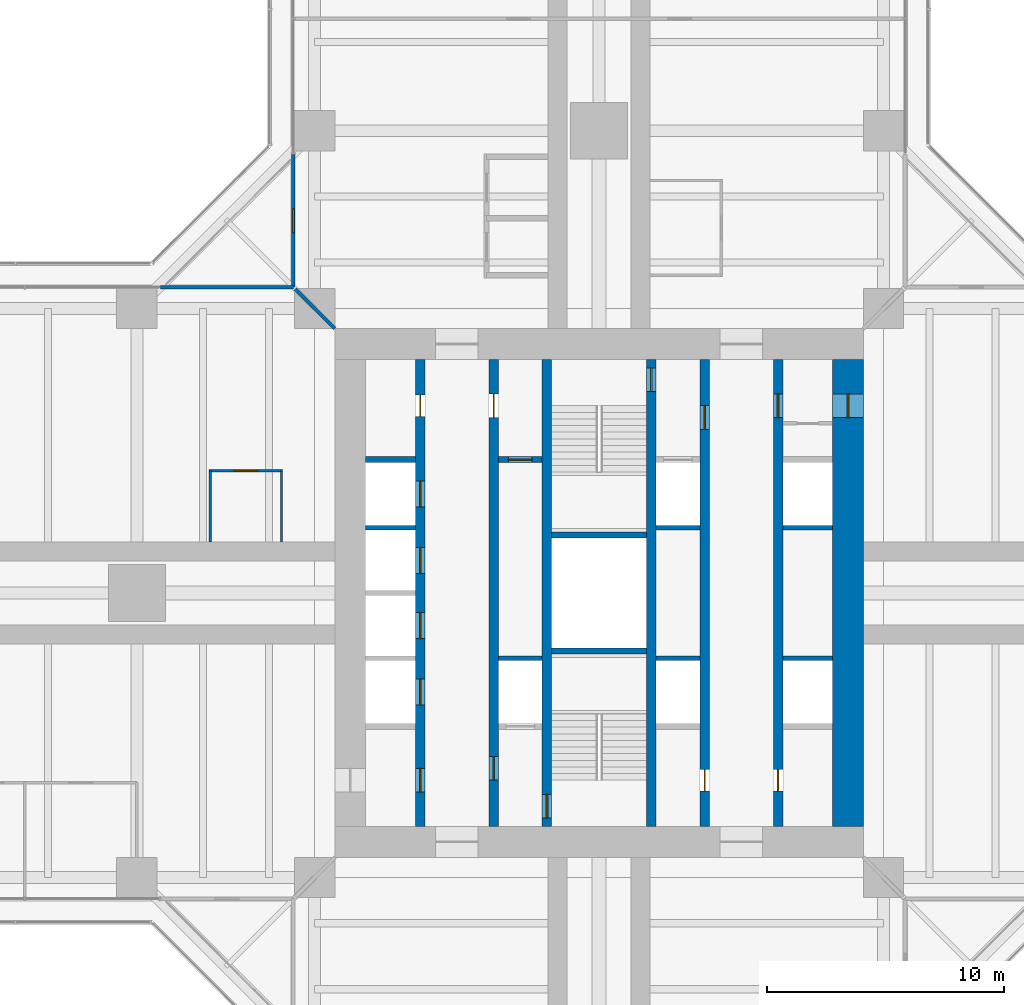
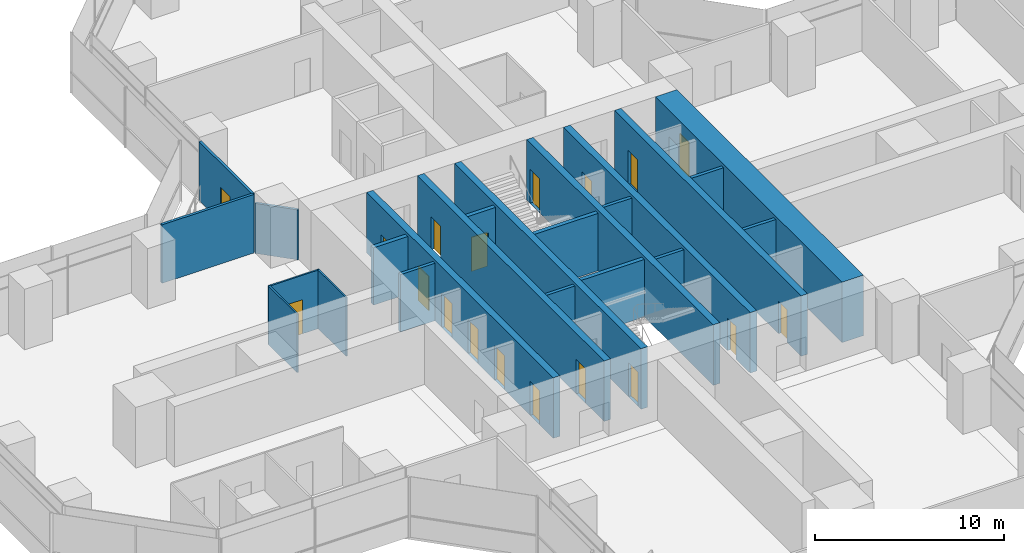
# One storey, part 18 of 22: 23 walls, 18 doors, 18 openings.
"""IFC4 building model written with IfcOpenShell, lengths in metres."""

from ifc_helpers import new_model, si_unit, direction, frame, frame_2d, origin, place, context, subcontext, project, spatial, rectangle, extrude, material, layer, layer_set, type_object, element, fill, save


model = new_model("IFC4")

# Units and contexts
model_context = context("Model", 3, precision=1e-05, world=origin(), true_north=direction((0.0, 1.0)))
body_context = subcontext(model_context, "Body", "Model", "MODEL_VIEW")
ifc_project = project(units=[si_unit("LENGTHUNIT", "METRE"), si_unit("AREAUNIT", "SQUARE_METRE"), si_unit("VOLUMEUNIT", "CUBIC_METRE"), si_unit("PLANEANGLEUNIT", "RADIAN"), si_unit("MASSUNIT", "GRAM", prefix="KILO")], contexts=[model_context])

# Site, building, storey
site_placement = place(None, origin())
site = spatial("IfcSite", under=ifc_project, at=site_placement, CompositionType="ELEMENT")
building_placement = place(site_placement, origin())
building = spatial("IfcBuilding", under=site, at=building_placement, Name="Mizan Broadcast Tower", CompositionType="ELEMENT")
storey_placement = place(building_placement, frame((0.0, 0.0, 70.800048828125)))
storey = spatial("IfcBuildingStorey", under=building, at=storey_placement, Name="L14", CompositionType="ELEMENT", Elevation=70.800048828125)

# Wall, openings, doors
ifc_material_1 = material(Name="Concrete C70/85", Category="concrete")
ifc_layer_1 = layer(ifc_material_1, 0.39990234375)
ifc_layer_set_1 = layer_set([ifc_layer_1], Name="Concrete C70/85")
wall_type_1 = type_object("IfcWallType", Name="CORE INTERNAL WALL 400", PredefinedType="SHEAR", material=ifc_layer_set_1)
wall_1_placement = place(storey_placement, frame((-7.550048828125, -9.85009765625, 0.0), z_axis=(0.0, 0.0, 1.0), x_axis=(0.0, 1.0, 0.0)))
wall_1 = element("IfcWall", 1, at=wall_1_placement, inside=storey, type_object=wall_type_1, Name="Core wall CORE/XW1", PredefinedType="SHEAR", context=body_context, shape_type="SweptSolid", body=[
    extrude(rectangle(XDim=19.7001953125, YDim=0.39990234375, at=frame_2d((9.85009765625, 0.0))), origin(), (0.0, 0.0, 1.0), 3.89990234375),
])
opening_1_placement = place(wall_1_placement, frame((1.449951171875, 0.0, 0.0)))
opening_1 = element("IfcOpeningElement", 2, at=opening_1_placement, cuts=wall_1, Name="Opening D10F", PredefinedType="OPENING", context=body_context, shape_type="SweptSolid", body=[
    extrude(rectangle(XDim=1.0, YDim=2.199951171875, at=frame_2d((0.5, 1.10009765625))), frame((0.0, 0.2099609375, 0.0), z_axis=(0.0, -1.0, 0.0), x_axis=(1.0, 0.0, 0.0)), (0.0, 0.0, 1.0), 0.419921875),
])
opening_2_placement = place(wall_1_placement, frame((17.300048828125, 0.0, 0.0)))
opening_2 = element("IfcOpeningElement", 3, at=opening_2_placement, cuts=wall_1, Name="Opening D09", PredefinedType="OPENING", context=body_context, shape_type="SweptSolid", body=[
    extrude(rectangle(XDim=0.89990234375, YDim=2.10009765625, at=frame_2d((0.449951171875, 1.050048828125))), frame((0.0, 0.2099609375, 0.0), z_axis=(0.0, -1.0, 0.0), x_axis=(1.0, 0.0, 0.0)), (0.0, 0.0, 1.0), 0.419921875),
])
opening_3_placement = place(wall_1_placement, frame((5.125, 0.0, 0.0)))
opening_3 = element("IfcOpeningElement", 4, at=opening_3_placement, cuts=wall_1, Name="Opening LD", PredefinedType="OPENING", context=body_context, shape_type="SweptSolid", body=[
    extrude(rectangle(XDim=1.10009765625, YDim=2.199951171875, at=frame_2d((0.550048828125, 1.10009765625))), frame((0.0, 0.2099609375, 0.0), z_axis=(0.0, -1.0, 0.0), x_axis=(1.0, 0.0, 0.0)), (0.0, 0.0, 1.0), 0.419921875),
])
opening_4_placement = place(wall_1_placement, frame((7.925048828125, 0.0, 0.0)))
opening_4 = element("IfcOpeningElement", 5, at=opening_4_placement, cuts=wall_1, Name="Opening LD", PredefinedType="OPENING", context=body_context, shape_type="SweptSolid", body=[
    extrude(rectangle(XDim=1.10009765625, YDim=2.199951171875, at=frame_2d((0.550048828125, 1.10009765625))), frame((0.0, 0.2099609375, 0.0), z_axis=(0.0, -1.0, 0.0), x_axis=(1.0, 0.0, 0.0)), (0.0, 0.0, 1.0), 0.419921875),
])
opening_5_placement = place(wall_1_placement, frame((10.675048828125, 0.0, 0.0)))
opening_5 = element("IfcOpeningElement", 6, at=opening_5_placement, cuts=wall_1, Name="Opening LD", PredefinedType="OPENING", context=body_context, shape_type="SweptSolid", body=[
    extrude(rectangle(XDim=1.10009765625, YDim=2.199951171875, at=frame_2d((0.550048828125, 1.10009765625))), frame((0.0, 0.2099609375, 0.0), z_axis=(0.0, -1.0, 0.0), x_axis=(1.0, 0.0, 0.0)), (0.0, 0.0, 1.0), 0.419921875),
])
opening_6_placement = place(wall_1_placement, frame((13.47509765625, 0.0, 0.0)))
opening_6 = element("IfcOpeningElement", 7, at=opening_6_placement, cuts=wall_1, Name="Opening LD", PredefinedType="OPENING", context=body_context, shape_type="SweptSolid", body=[
    extrude(rectangle(XDim=1.10009765625, YDim=2.199951171875, at=frame_2d((0.550048828125, 1.10009765625))), frame((0.0, 0.2099609375, 0.0), z_axis=(0.0, -1.0, 0.0), x_axis=(1.0, 0.0, 0.0)), (0.0, 0.0, 1.0), 0.419921875),
])
ifc_material_2 = material(Name="Steel door leaf in steel frame", Category="steel")
door_type_1 = type_object("IfcDoorType", Name="FIRE DOOR 1000 FD90", OperationType="SINGLE_SWING_LEFT", PredefinedType="DOOR", material=ifc_material_2)
door_1_placement = place(opening_1_placement, origin())
door_1 = element("IfcDoor", 8, at=door_1_placement, inside=storey, type_object=door_type_1, Name="West core passage door", OperationType="SINGLE_SWING_LEFT", OverallHeight=2.199951171875, OverallWidth=1.0, PredefinedType="DOOR", context=body_context, shape_type="SweptSolid", body=[
    extrude(rectangle(XDim=1.0, YDim=2.199951171875, at=frame_2d((0.5, 1.10009765625))), frame((0.0, 0.02490234375, 0.0), z_axis=(0.0, -1.0, 0.0), x_axis=(1.0, 0.0, 0.0)), (0.0, 0.0, 1.0), 0.050048828125),
])
fill(opening_1, door_1)
ifc_material_3 = material(Name="Steel door leaf in steel frame", Category="steel")
door_type_2 = type_object("IfcDoorType", Name="LIFT LANDING DOOR 1100", OperationType="SLIDING_TO_LEFT", PredefinedType="DOOR", material=ifc_material_3)
door_2_placement = place(opening_3_placement, origin())
door_2 = element("IfcDoor", 9, at=door_2_placement, inside=storey, type_object=door_type_2, Name="Landing door LA1", OperationType="SLIDING_TO_LEFT", OverallHeight=2.199951171875, OverallWidth=1.10009765625, PredefinedType="DOOR", context=body_context, shape_type="SweptSolid", body=[
    extrude(rectangle(XDim=1.10009765625, YDim=2.199951171875, at=frame_2d((0.550048828125, 1.10009765625))), frame((0.0, 0.02490234375, 0.0), z_axis=(0.0, -1.0, 0.0), x_axis=(1.0, 0.0, 0.0)), (0.0, 0.0, 1.0), 0.050048828125),
])
fill(opening_3, door_2)
door_3_placement = place(opening_4_placement, origin())
door_3 = element("IfcDoor", 10, at=door_3_placement, inside=storey, type_object=door_type_2, Name="Landing door LA2", OperationType="SLIDING_TO_LEFT", OverallHeight=2.199951171875, OverallWidth=1.10009765625, PredefinedType="DOOR", context=body_context, shape_type="SweptSolid", body=[
    extrude(rectangle(XDim=1.10009765625, YDim=2.199951171875, at=frame_2d((0.550048828125, 1.10009765625))), frame((0.0, 0.02490234375, 0.0), z_axis=(0.0, -1.0, 0.0), x_axis=(1.0, 0.0, 0.0)), (0.0, 0.0, 1.0), 0.050048828125),
])
fill(opening_4, door_3)
door_4_placement = place(opening_5_placement, origin())
door_4 = element("IfcDoor", 11, at=door_4_placement, inside=storey, type_object=door_type_2, Name="Landing door LA3", OperationType="SLIDING_TO_LEFT", OverallHeight=2.199951171875, OverallWidth=1.10009765625, PredefinedType="DOOR", context=body_context, shape_type="SweptSolid", body=[
    extrude(rectangle(XDim=1.10009765625, YDim=2.199951171875, at=frame_2d((0.550048828125, 1.10009765625))), frame((0.0, 0.02490234375, 0.0), z_axis=(0.0, -1.0, 0.0), x_axis=(1.0, 0.0, 0.0)), (0.0, 0.0, 1.0), 0.050048828125),
])
fill(opening_5, door_4)
door_5_placement = place(opening_6_placement, origin())
door_5 = element("IfcDoor", 12, at=door_5_placement, inside=storey, type_object=door_type_2, Name="Landing door LA4", OperationType="SLIDING_TO_LEFT", OverallHeight=2.199951171875, OverallWidth=1.10009765625, PredefinedType="DOOR", context=body_context, shape_type="SweptSolid", body=[
    extrude(rectangle(XDim=1.10009765625, YDim=2.199951171875, at=frame_2d((0.550048828125, 1.10009765625))), frame((0.0, 0.02490234375, 0.0), z_axis=(0.0, -1.0, 0.0), x_axis=(1.0, 0.0, 0.0)), (0.0, 0.0, 1.0), 0.050048828125),
])
fill(opening_6, door_5)
ifc_material_4 = material(Name="Timber door leaf in aluminium frame", Category="wood")
door_type_3 = type_object("IfcDoorType", Name="TOILET DOOR 900", OperationType="SINGLE_SWING_LEFT", PredefinedType="DOOR", material=ifc_material_4)
door_6_placement = place(opening_2_placement, origin())
door_6 = element("IfcDoor", 13, at=door_6_placement, inside=storey, type_object=door_type_3, Name="Male WC door", OperationType="SINGLE_SWING_RIGHT", OverallHeight=2.10009765625, OverallWidth=0.89990234375, PredefinedType="DOOR", context=body_context, shape_type="SweptSolid", body=[
    extrude(rectangle(XDim=0.89990234375, YDim=2.10009765625, at=frame_2d((0.449951171875, 1.050048828125))), frame((0.0, 0.02490234375, 0.0), z_axis=(0.0, -1.0, 0.0), x_axis=(1.0, 0.0, 0.0)), (0.0, 0.0, 1.0), 0.050048828125),
])
fill(opening_2, door_6)

wall_2_placement = place(storey_placement, frame((7.550048828125, 9.85009765625, 0.0), z_axis=(0.0, 0.0, 1.0), x_axis=(0.0, -1.0, 0.0)))
wall_2 = element("IfcWall", 14, at=wall_2_placement, inside=storey, type_object=wall_type_1, Name="Core wall CORE/XW1E", PredefinedType="SHEAR", context=body_context, shape_type="SweptSolid", body=[
    extrude(rectangle(XDim=19.7001953125, YDim=0.39990234375, at=frame_2d((9.85009765625, 0.0))), origin(), (0.0, 0.0, 1.0), 3.89990234375),
])
opening_7_placement = place(wall_2_placement, frame((1.449951171875, 0.0, 0.0)))
opening_7 = element("IfcOpeningElement", 15, at=opening_7_placement, cuts=wall_2, Name="Opening D10F", PredefinedType="OPENING", context=body_context, shape_type="SweptSolid", body=[
    extrude(rectangle(XDim=1.0, YDim=2.199951171875, at=frame_2d((0.5, 1.10009765625))), frame((0.0, 0.2099609375, 0.0), z_axis=(0.0, -1.0, 0.0), x_axis=(1.0, 0.0, 0.0)), (0.0, 0.0, 1.0), 0.419921875),
])
opening_8_placement = place(wall_2_placement, frame((17.300048828125, 0.0, 0.0)))
opening_8 = element("IfcOpeningElement", 16, at=opening_8_placement, cuts=wall_2, Name="Opening D09", PredefinedType="OPENING", context=body_context, shape_type="SweptSolid", body=[
    extrude(rectangle(XDim=0.89990234375, YDim=2.10009765625, at=frame_2d((0.449951171875, 1.050048828125))), frame((0.0, 0.2099609375, 0.0), z_axis=(0.0, -1.0, 0.0), x_axis=(1.0, 0.0, 0.0)), (0.0, 0.0, 1.0), 0.419921875),
])
door_7_placement = place(opening_7_placement, origin())
door_7 = element("IfcDoor", 17, at=door_7_placement, inside=storey, type_object=door_type_1, Name="East core passage door", OperationType="SINGLE_SWING_LEFT", OverallHeight=2.199951171875, OverallWidth=1.0, PredefinedType="DOOR", context=body_context, shape_type="SweptSolid", body=[
    extrude(rectangle(XDim=1.0, YDim=2.199951171875, at=frame_2d((0.5, 1.10009765625))), frame((0.0, 0.02490234375, 0.0), z_axis=(0.0, -1.0, 0.0), x_axis=(1.0, 0.0, 0.0)), (0.0, 0.0, 1.0), 0.050048828125),
])
fill(opening_7, door_7)
door_8_placement = place(opening_8_placement, origin())
door_8 = element("IfcDoor", 18, at=door_8_placement, inside=storey, type_object=door_type_3, Name="Female WC door", OperationType="SINGLE_SWING_RIGHT", OverallHeight=2.10009765625, OverallWidth=0.89990234375, PredefinedType="DOOR", context=body_context, shape_type="SweptSolid", body=[
    extrude(rectangle(XDim=0.89990234375, YDim=2.10009765625, at=frame_2d((0.449951171875, 1.050048828125))), frame((0.0, 0.02490234375, 0.0), z_axis=(0.0, -1.0, 0.0), x_axis=(1.0, 0.0, 0.0)), (0.0, 0.0, 1.0), 0.050048828125),
])
fill(opening_8, door_8)

wall_3_placement = place(storey_placement, frame((-4.449951171875, -9.85009765625, 0.0), z_axis=(0.0, 0.0, 1.0), x_axis=(0.0, 1.0, 0.0)))
wall_3 = element("IfcWall", 19, at=wall_3_placement, inside=storey, type_object=wall_type_1, Name="Core wall CORE/XWH", PredefinedType="SHEAR", context=body_context, shape_type="SweptSolid", body=[
    extrude(rectangle(XDim=19.7001953125, YDim=0.39990234375, at=frame_2d((9.85009765625, 0.0))), origin(), (0.0, 0.0, 1.0), 3.89990234375),
])
opening_9_placement = place(wall_3_placement, frame((1.949951171875, 0.0, 0.0)))
opening_9 = element("IfcOpeningElement", 20, at=opening_9_placement, cuts=wall_3, Name="Opening D10F", PredefinedType="OPENING", context=body_context, shape_type="SweptSolid", body=[
    extrude(rectangle(XDim=1.0, YDim=2.199951171875, at=frame_2d((0.5, 1.10009765625))), frame((0.0, 0.2099609375, 0.0), z_axis=(0.0, -1.0, 0.0), x_axis=(1.0, 0.0, 0.0)), (0.0, 0.0, 1.0), 0.419921875),
])
opening_10_placement = place(wall_3_placement, frame((17.25, 0.0, 0.0)))
opening_10 = element("IfcOpeningElement", 21, at=opening_10_placement, cuts=wall_3, Name="Opening D10A", PredefinedType="OPENING", context=body_context, shape_type="SweptSolid", body=[
    extrude(rectangle(XDim=1.0, YDim=2.10009765625, at=frame_2d((0.5, 1.050048828125))), frame((0.0, 0.2099609375, 0.0), z_axis=(0.0, -1.0, 0.0), x_axis=(1.0, 0.0, 0.0)), (0.0, 0.0, 1.0), 0.419921875),
])
ifc_material_5 = material(Name="Timber door leaf in aluminium frame", Category="wood")
door_type_4 = type_object("IfcDoorType", Name="ACCESSIBLE WC DOOR 1000", OperationType="SLIDING_TO_LEFT", PredefinedType="DOOR", material=ifc_material_5)
door_9_placement = place(opening_10_placement, origin())
door_9 = element("IfcDoor", 22, at=door_9_placement, inside=storey, type_object=door_type_4, Name="Accessible WC door", OperationType="SLIDING_TO_LEFT", OverallHeight=2.10009765625, OverallWidth=1.0, PredefinedType="DOOR", context=body_context, shape_type="SweptSolid", body=[
    extrude(rectangle(XDim=1.0, YDim=2.10009765625, at=frame_2d((0.5, 1.050048828125))), frame((0.0, 0.02490234375, 0.0), z_axis=(0.0, -1.0, 0.0), x_axis=(1.0, 0.0, 0.0)), (0.0, 0.0, 1.0), 0.050048828125),
])
fill(opening_10, door_9)
door_10_placement = place(opening_9_placement, origin())
door_10 = element("IfcDoor", 23, at=door_10_placement, inside=storey, type_object=door_type_1, Name="Firefighting lobby A door", OperationType="SINGLE_SWING_LEFT", OverallHeight=2.199951171875, OverallWidth=1.0, PredefinedType="DOOR", context=body_context, shape_type="SweptSolid", body=[
    extrude(rectangle(XDim=1.0, YDim=2.199951171875, at=frame_2d((0.5, 1.10009765625))), frame((0.0, 0.02490234375, 0.0), z_axis=(0.0, -1.0, 0.0), x_axis=(1.0, 0.0, 0.0)), (0.0, 0.0, 1.0), 0.050048828125),
])
fill(opening_9, door_10)

wall_4_placement = place(storey_placement, frame((4.449951171875, 9.85009765625, 0.0), z_axis=(0.0, 0.0, 1.0), x_axis=(0.0, -1.0, 0.0)))
wall_4 = element("IfcWall", 24, at=wall_4_placement, inside=storey, type_object=wall_type_1, Name="Core wall CORE/XWHE", PredefinedType="SHEAR", context=body_context, shape_type="SweptSolid", body=[
    extrude(rectangle(XDim=19.7001953125, YDim=0.39990234375, at=frame_2d((9.85009765625, 0.0))), origin(), (0.0, 0.0, 1.0), 3.89990234375),
])
opening_11_placement = place(wall_4_placement, frame((1.949951171875, 0.0, 0.0)))
opening_11 = element("IfcOpeningElement", 25, at=opening_11_placement, cuts=wall_4, Name="Opening D10F", PredefinedType="OPENING", context=body_context, shape_type="SweptSolid", body=[
    extrude(rectangle(XDim=1.0, YDim=2.199951171875, at=frame_2d((0.5, 1.10009765625))), frame((0.0, 0.2099609375, 0.0), z_axis=(0.0, -1.0, 0.0), x_axis=(1.0, 0.0, 0.0)), (0.0, 0.0, 1.0), 0.419921875),
])
opening_12_placement = place(wall_4_placement, frame((17.300048828125, 0.0, 0.0)))
opening_12 = element("IfcOpeningElement", 26, at=opening_12_placement, cuts=wall_4, Name="Opening D09", PredefinedType="OPENING", context=body_context, shape_type="SweptSolid", body=[
    extrude(rectangle(XDim=0.89990234375, YDim=2.10009765625, at=frame_2d((0.449951171875, 1.050048828125))), frame((0.0, 0.2099609375, 0.0), z_axis=(0.0, -1.0, 0.0), x_axis=(1.0, 0.0, 0.0)), (0.0, 0.0, 1.0), 0.419921875),
])
door_11_placement = place(opening_11_placement, origin())
door_11 = element("IfcDoor", 27, at=door_11_placement, inside=storey, type_object=door_type_1, Name="Firefighting lobby B door", OperationType="SINGLE_SWING_LEFT", OverallHeight=2.199951171875, OverallWidth=1.0, PredefinedType="DOOR", context=body_context, shape_type="SweptSolid", body=[
    extrude(rectangle(XDim=1.0, YDim=2.199951171875, at=frame_2d((0.5, 1.10009765625))), frame((0.0, 0.02490234375, 0.0), z_axis=(0.0, -1.0, 0.0), x_axis=(1.0, 0.0, 0.0)), (0.0, 0.0, 1.0), 0.050048828125),
])
fill(opening_11, door_11)
door_12_placement = place(opening_12_placement, origin())
door_12 = element("IfcDoor", 28, at=door_12_placement, inside=storey, type_object=door_type_3, Name="Cleaner's store door", OperationType="SINGLE_SWING_RIGHT", OverallHeight=2.10009765625, OverallWidth=0.89990234375, PredefinedType="DOOR", context=body_context, shape_type="SweptSolid", body=[
    extrude(rectangle(XDim=0.89990234375, YDim=2.10009765625, at=frame_2d((0.449951171875, 1.050048828125))), frame((0.0, 0.02490234375, 0.0), z_axis=(0.0, -1.0, 0.0), x_axis=(1.0, 0.0, 0.0)), (0.0, 0.0, 1.0), 0.050048828125),
])
fill(opening_12, door_12)

# Wall, opening, door
wall_5_placement = place(storey_placement, frame((-2.199951171875, -9.85009765625, 0.0), z_axis=(0.0, 0.0, 1.0), x_axis=(0.0, 1.0, 0.0)))
wall_5 = element("IfcWall", 29, at=wall_5_placement, inside=storey, type_object=wall_type_1, Name="Core wall CORE/XW2", PredefinedType="SHEAR", context=body_context, shape_type="SweptSolid", body=[
    extrude(rectangle(XDim=19.7001953125, YDim=0.39990234375, at=frame_2d((9.85009765625, 0.0))), origin(), (0.0, 0.0, 1.0), 3.89990234375),
])
opening_13_placement = place(wall_5_placement, frame((0.35009765625, 0.0, 0.0)))
opening_13 = element("IfcOpeningElement", 30, at=opening_13_placement, cuts=wall_5, Name="Opening D10S", PredefinedType="OPENING", context=body_context, shape_type="SweptSolid", body=[
    extrude(rectangle(XDim=1.0, YDim=2.199951171875, at=frame_2d((0.5, 1.10009765625))), frame((0.0, 0.2099609375, 0.0), z_axis=(0.0, -1.0, 0.0), x_axis=(1.0, 0.0, 0.0)), (0.0, 0.0, 1.0), 0.419921875),
])
ifc_material_6 = material(Name="Steel door leaf in steel frame", Category="steel")
door_type_5 = type_object("IfcDoorType", Name="STAIR DOOR 1000 FD90S", OperationType="SINGLE_SWING_RIGHT", PredefinedType="DOOR", material=ifc_material_6)
door_13_placement = place(opening_13_placement, origin())
door_13 = element("IfcDoor", 31, at=door_13_placement, inside=storey, type_object=door_type_5, Name="Stair A door", OperationType="SINGLE_SWING_RIGHT", OverallHeight=2.199951171875, OverallWidth=1.0, PredefinedType="DOOR", context=body_context, shape_type="SweptSolid", body=[
    extrude(rectangle(XDim=1.0, YDim=2.199951171875, at=frame_2d((0.5, 1.10009765625))), frame((0.0, 0.02490234375, 0.0), z_axis=(0.0, -1.0, 0.0), x_axis=(1.0, 0.0, 0.0)), (0.0, 0.0, 1.0), 0.050048828125),
])
fill(opening_13, door_13)

wall_6_placement = place(storey_placement, frame((2.199951171875, 9.85009765625, 0.0), z_axis=(0.0, 0.0, 1.0), x_axis=(0.0, -1.0, 0.0)))
wall_6 = element("IfcWall", 32, at=wall_6_placement, inside=storey, type_object=wall_type_1, Name="Core wall CORE/XW2E", PredefinedType="SHEAR", context=body_context, shape_type="SweptSolid", body=[
    extrude(rectangle(XDim=19.7001953125, YDim=0.39990234375, at=frame_2d((9.85009765625, 0.0))), origin(), (0.0, 0.0, 1.0), 3.89990234375),
])
opening_14_placement = place(wall_6_placement, frame((0.35009765625, 0.0, 0.0)))
opening_14 = element("IfcOpeningElement", 33, at=opening_14_placement, cuts=wall_6, Name="Opening D10S", PredefinedType="OPENING", context=body_context, shape_type="SweptSolid", body=[
    extrude(rectangle(XDim=1.0, YDim=2.199951171875, at=frame_2d((0.5, 1.10009765625))), frame((0.0, 0.2099609375, 0.0), z_axis=(0.0, -1.0, 0.0), x_axis=(1.0, 0.0, 0.0)), (0.0, 0.0, 1.0), 0.419921875),
])
door_14_placement = place(opening_14_placement, origin())
door_14 = element("IfcDoor", 34, at=door_14_placement, inside=storey, type_object=door_type_5, Name="Stair B door", OperationType="SINGLE_SWING_RIGHT", OverallHeight=2.199951171875, OverallWidth=1.0, PredefinedType="DOOR", context=body_context, shape_type="SweptSolid", body=[
    extrude(rectangle(XDim=1.0, YDim=2.199951171875, at=frame_2d((0.5, 1.10009765625))), frame((0.0, 0.02490234375, 0.0), z_axis=(0.0, -1.0, 0.0), x_axis=(1.0, 0.0, 0.0)), (0.0, 0.0, 1.0), 0.050048828125),
])
fill(opening_14, door_14)

ifc_material_7 = material(Name="Concrete C70/85", Category="concrete")
ifc_layer_2 = layer(ifc_material_7, 1.300048828125)
ifc_layer_set_2 = layer_set([ifc_layer_2], Name="Concrete C70/85")
wall_type_2 = type_object("IfcWallType", Name="CORE WALL 1300", PredefinedType="SHEAR", material=ifc_layer_set_2)
wall_7_placement = place(storey_placement, frame((10.5, -9.85009765625, 0.0), z_axis=(0.0, 0.0, 1.0), x_axis=(0.0, 1.0, 0.0)))
wall_7 = element("IfcWall", 35, at=wall_7_placement, inside=storey, type_object=wall_type_2, Name="Core wall E L14", PredefinedType="SHEAR", context=body_context, shape_type="SweptSolid", body=[
    extrude(rectangle(XDim=19.7001953125, YDim=1.300048828125, at=frame_2d((9.85009765625, 0.0))), origin(), (0.0, 0.0, 1.0), 3.89990234375),
])
opening_15_placement = place(wall_7_placement, frame((17.25, 0.0, 0.0)))
opening_15 = element("IfcOpeningElement", 36, at=opening_15_placement, cuts=wall_7, Name="Opening D10F", PredefinedType="OPENING", context=body_context, shape_type="SweptSolid", body=[
    extrude(rectangle(XDim=1.0, YDim=2.199951171875, at=frame_2d((0.5, 1.10009765625))), frame((0.0, 0.659912109375, 0.0), z_axis=(0.0, -1.0, 0.0), x_axis=(1.0, 0.0, 0.0)), (0.0, 0.0, 1.0), 1.320068359375),
])
door_15_placement = place(opening_15_placement, origin())
door_15 = element("IfcDoor", 37, at=door_15_placement, inside=storey, type_object=door_type_1, Name="East core passage arm door", OperationType="SINGLE_SWING_RIGHT", OverallHeight=2.199951171875, OverallWidth=1.0, PredefinedType="DOOR", context=body_context, shape_type="SweptSolid", body=[
    extrude(rectangle(XDim=1.0, YDim=2.199951171875, at=frame_2d((0.5, 1.10009765625))), frame((0.0, 0.02490234375, 0.0), z_axis=(0.0, -1.0, 0.0), x_axis=(1.0, 0.0, 0.0)), (0.0, 0.0, 1.0), 0.050048828125),
])
fill(opening_15, door_15)

ifc_material_8 = material(Name="Aluminium framed glazed screen", Category="aluminium")
ifc_layer_3 = layer(ifc_material_8, 0.159912109375)
ifc_layer_set_3 = layer_set([ifc_layer_3], Name="Aluminium framed glazed screen")
wall_type_3 = type_object("IfcWallType", Name="GLAZED SCREEN WALL 160", PredefinedType="SOLIDWALL", material=ifc_layer_set_3)
wall_8_placement = place(storey_placement, frame((-12.89990234375, 18.5, 0.0), z_axis=(0.0, 0.0, 1.0), x_axis=(0.0, -1.0, 0.0)))
wall_8 = element("IfcWall", 38, at=wall_8_placement, inside=storey, type_object=wall_type_3, Name="Winter garden screen L14 N", PredefinedType="SOLIDWALL", context=body_context, shape_type="SweptSolid", body=[
    extrude(rectangle(XDim=5.60009765625, YDim=0.159912109375, at=frame_2d((2.800048828125, 0.0))), origin(), (0.0, 0.0, 1.0), 3.77001953125),
])
opening_16_placement = place(wall_8_placement, frame((2.300048828125, 0.0, 0.0)))
opening_16 = element("IfcOpeningElement", 39, at=opening_16_placement, cuts=wall_8, Name="Opening WGD", PredefinedType="OPENING", context=body_context, shape_type="SweptSolid", body=[
    extrude(rectangle(XDim=1.0, YDim=2.199951171875, at=frame_2d((0.5, 1.10009765625))), frame((0.0, 0.08984375, 0.0), z_axis=(0.0, -1.0, 0.0), x_axis=(1.0, 0.0, 0.0)), (0.0, 0.0, 1.0), 0.179931640625),
])
ifc_material_9 = material(Name="Aluminium framed glazed door", Category="aluminium")
door_type_6 = type_object("IfcDoorType", Name="WINTER GARDEN DOOR 1000 GLAZED", OperationType="SINGLE_SWING_LEFT", PredefinedType="DOOR", material=ifc_material_9)
door_16_placement = place(opening_16_placement, origin())
door_16 = element("IfcDoor", 40, at=door_16_placement, inside=storey, type_object=door_type_6, Name="Winter garden door L14 N", OperationType="SINGLE_SWING_RIGHT", OverallHeight=2.199951171875, OverallWidth=1.0, PredefinedType="DOOR", context=body_context, shape_type="SweptSolid", body=[
    extrude(rectangle(XDim=1.0, YDim=2.199951171875, at=frame_2d((0.5, 1.10009765625))), frame((0.0, 0.02490234375, 0.0), z_axis=(0.0, -1.0, 0.0), x_axis=(1.0, 0.0, 0.0)), (0.0, 0.0, 1.0), 0.050048828125),
])
fill(opening_16, door_16)

# Walls
wall_9_placement = place(storey_placement, frame((-12.89990234375, 12.89990234375, 0.0), z_axis=(0.0, 0.0, 1.0), x_axis=(-1.0, 0.0, 0.0)))
element("IfcWall", 41, at=wall_9_placement, inside=storey, type_object=wall_type_3, Name="Winter garden screen L14 W", PredefinedType="SOLIDWALL", context=body_context, shape_type="SweptSolid", body=[
    extrude(rectangle(XDim=5.60009765625, YDim=0.159912109375, at=frame_2d((2.800048828125, 0.0))), origin(), (0.0, 0.0, 1.0), 3.77001953125),
])
ifc_material_10 = material(Name="Concrete blockwork", Category="masonry")
ifc_layer_4 = layer(ifc_material_10, 0.199951171875)
ifc_layer_set_4 = layer_set([ifc_layer_4], Name="Concrete blockwork")
wall_type_4 = type_object("IfcWallType", Name="LIFT SHAFT WALL 200", PredefinedType="SOLIDWALL", material=ifc_layer_set_4)
for number, where, z_axis, x_axis, name in (
    (42, (-4.25, -2.75, 0.0), (0.0, 0.0, 1.0), (1.0, 0.0, 0.0), "Lift shaft wall CORE/SW2-1"),
    (43, (2.39990234375, -2.75, 0.0), (0.0, 0.0, 1.0), (1.0, 0.0, 0.0), "Lift shaft wall CORE/SE2-1"),
):
    element("IfcWall", number, at=place(storey_placement, frame(where, z_axis=z_axis, x_axis=x_axis)), inside=storey, type_object=wall_type_4, Name=name, PredefinedType="SOLIDWALL", context=body_context, shape_type="SweptSolid", body=[
        extrude(rectangle(XDim=1.85009765625, YDim=0.199951171875, at=frame_2d((0.925048828125, 0.0))), origin(), (0.0, 0.0, 1.0), 3.699951171875),
    ])
for number, where, z_axis, x_axis, name in (
    (44, (7.75, -2.75, 0.0), (0.0, 0.0, 1.0), (1.0, 0.0, 0.0), "Lift shaft wall CORE/SE1-1"),
    (45, (-9.85009765625, 2.75, 0.0), (0.0, 0.0, 1.0), (1.0, 0.0, 0.0), "Lift shaft wall CORE/SW1-3"),
):
    element("IfcWall", number, at=place(storey_placement, frame(where, z_axis=z_axis, x_axis=x_axis)), inside=storey, type_object=wall_type_4, Name=name, PredefinedType="SOLIDWALL", context=body_context, shape_type="SweptSolid", body=[
        extrude(rectangle(XDim=2.10009765625, YDim=0.199951171875, at=frame_2d((1.050048828125, 0.0))), origin(), (0.0, 0.0, 1.0), 3.699951171875),
    ])
wall_10_placement = place(storey_placement, frame((2.39990234375, 2.75, 0.0), z_axis=(0.0, 0.0, 1.0), x_axis=(1.0, 0.0, 0.0)))
element("IfcWall", 46, at=wall_10_placement, inside=storey, type_object=wall_type_4, Name="Lift shaft wall CORE/SE2-3", PredefinedType="SOLIDWALL", context=body_context, shape_type="SweptSolid", body=[
    extrude(rectangle(XDim=1.85009765625, YDim=0.199951171875, at=frame_2d((0.925048828125, 0.0))), origin(), (0.0, 0.0, 1.0), 3.699951171875),
])
wall_11_placement = place(storey_placement, frame((7.75, 2.75, 0.0), z_axis=(0.0, 0.0, 1.0), x_axis=(1.0, 0.0, 0.0)))
element("IfcWall", 47, at=wall_11_placement, inside=storey, type_object=wall_type_4, Name="Lift shaft wall CORE/SE1-3", PredefinedType="SOLIDWALL", context=body_context, shape_type="SweptSolid", body=[
    extrude(rectangle(XDim=2.10009765625, YDim=0.199951171875, at=frame_2d((1.050048828125, 0.0))), origin(), (0.0, 0.0, 1.0), 3.699951171875),
])
ifc_material_11 = material(Name="Concrete blockwork", Category="masonry")
ifc_layer_5 = layer(ifc_material_11, 0.25)
ifc_layer_set_5 = layer_set([ifc_layer_5], Name="Concrete blockwork")
wall_type_5 = type_object("IfcWallType", Name="LOBBY ENCLOSURE WALL 250", PredefinedType="SOLIDWALL", material=ifc_layer_set_5)
wall_12_placement = place(storey_placement, frame((-9.85009765625, 5.625, 0.0), z_axis=(0.0, 0.0, 1.0), x_axis=(1.0, 0.0, 0.0)))
element("IfcWall", 48, at=wall_12_placement, inside=storey, type_object=wall_type_5, Name="Lobby enclosure wall CORE/BW1N", PredefinedType="SOLIDWALL", context=body_context, shape_type="SweptSolid", body=[
    extrude(rectangle(XDim=2.10009765625, YDim=0.25, at=frame_2d((1.050048828125, 0.0))), origin(), (0.0, 0.0, 1.0), 3.699951171875),
])

# Wall, opening, door
wall_13_placement = place(storey_placement, frame((-4.25, 5.625, 0.0), z_axis=(0.0, 0.0, 1.0), x_axis=(1.0, 0.0, 0.0)))
wall_13 = element("IfcWall", 49, at=wall_13_placement, inside=storey, type_object=wall_type_5, Name="Lobby enclosure wall CORE/BW2N", PredefinedType="SOLIDWALL", context=body_context, shape_type="SweptSolid", body=[
    extrude(rectangle(XDim=1.85009765625, YDim=0.25, at=frame_2d((0.925048828125, 0.0))), origin(), (0.0, 0.0, 1.0), 3.699951171875),
])
opening_17_placement = place(wall_13_placement, frame((0.425048828125, 0.0, 0.0)))
opening_17 = element("IfcOpeningElement", 50, at=opening_17_placement, cuts=wall_13, Name="Opening D10F", PredefinedType="OPENING", context=body_context, shape_type="SweptSolid", body=[
    extrude(rectangle(XDim=1.0, YDim=2.199951171875, at=frame_2d((0.5, 1.10009765625))), frame((0.0, 0.135009765625, 0.0), z_axis=(0.0, -1.0, 0.0), x_axis=(1.0, 0.0, 0.0)), (0.0, 0.0, 1.0), 0.27001953125),
])
door_17_placement = place(opening_17_placement, origin())
door_17 = element("IfcDoor", 51, at=door_17_placement, inside=storey, type_object=door_type_1, Name="Accessible shower room door", OperationType="SINGLE_SWING_RIGHT", OverallHeight=2.199951171875, OverallWidth=1.0, PredefinedType="DOOR", context=body_context, shape_type="SweptSolid", body=[
    extrude(rectangle(XDim=1.0, YDim=2.199951171875, at=frame_2d((0.5, 1.10009765625))), frame((0.0, 0.02490234375, 0.0), z_axis=(0.0, -1.0, 0.0), x_axis=(1.0, 0.0, 0.0)), (0.0, 0.0, 1.0), 0.050048828125),
])
fill(opening_17, door_17)

# Walls
for number, where, z_axis, x_axis, name in (
    (52, (-2.0, -2.449951171875, 0.0), (0.0, 0.0, 1.0), (1.0, 0.0, 0.0), "Lobby enclosure wall CORE/STA"),
    (53, (-2.0, 2.449951171875, 0.0), (0.0, 0.0, 1.0), (1.0, 0.0, 0.0), "Lobby enclosure wall CORE/STB"),
):
    element("IfcWall", number, at=place(storey_placement, frame(where, z_axis=z_axis, x_axis=x_axis)), inside=storey, type_object=wall_type_5, Name=name, PredefinedType="SOLIDWALL", context=body_context, shape_type="SweptSolid", body=[
        extrude(rectangle(XDim=4.0, YDim=0.25, at=frame_2d((2.0, 0.0))), origin(), (0.0, 0.0, 1.0), 3.699951171875),
    ])
ifc_material_12 = material(Name="Gypsum board on steel studs", Category="steel")
ifc_layer_6 = layer(ifc_material_12, 0.14990234375)
ifc_layer_set_6 = layer_set([ifc_layer_6], Name="Gypsum board on steel studs")
wall_type_6 = type_object("IfcWallType", Name="PARTITION 150", PredefinedType="PARTITIONING", material=ifc_layer_set_6)
wall_14_placement = place(storey_placement, frame((-11.14990234375, 11.14990234375, 0.0), z_axis=(0.0, 0.0, 1.0), x_axis=(-0.707106781187, 0.707106781187, 0.0)))
element("IfcWall", 54, at=wall_14_placement, inside=storey, type_object=wall_type_6, Name="Partition PT/DGWN", PredefinedType="PARTITIONING", context=body_context, shape_type="SweptSolid", body=[
    extrude(rectangle(XDim=2.362060546875, YDim=0.14990234375, at=frame_2d((1.18115234375, 0.0))), origin(), (0.0, 0.0, 1.0), 3.219970703125),
])
ifc_material_13 = material(Name="Glazed aluminium partition on aluminium track", Category="aluminium")
ifc_layer_7 = layer(ifc_material_13, 0.10009765625)
ifc_layer_set_7 = layer_set([ifc_layer_7], Name="Glazed aluminium partition on aluminium track")
wall_type_7 = type_object("IfcWallType", Name="PARTITION GLAZED OFFICE FRONT 100", PredefinedType="PARTITIONING", material=ifc_layer_set_7)
for number, where, z_axis, x_axis, name in (
    (55, (-13.39990234375, 2.14990234375, 0.0), (0.0, 0.0, 1.0), (0.0, 1.0, 0.0), "Glazed office front PT/WKN0a"),
    (56, (-16.39990234375, 2.14990234375, 0.0), (0.0, 0.0, 1.0), (0.0, 1.0, 0.0), "Glazed office front PT/WKN0b"),
):
    element("IfcWall", number, at=place(storey_placement, frame(where, z_axis=z_axis, x_axis=x_axis)), inside=storey, type_object=wall_type_7, Name=name, PredefinedType="PARTITIONING", context=body_context, shape_type="SweptSolid", body=[
        extrude(rectangle(XDim=3.0, YDim=0.10009765625, at=frame_2d((1.5, 0.0))), origin(), (0.0, 0.0, 1.0), 3.77001953125),
    ])

# Wall, opening, door
wall_15_placement = place(storey_placement, frame((-13.35009765625, 5.14990234375, 0.0), z_axis=(0.0, 0.0, 1.0), x_axis=(-1.0, 0.0, 0.0)))
wall_15 = element("IfcWall", 57, at=wall_15_placement, inside=storey, type_object=wall_type_7, Name="Glazed office front PT/WKN0f", PredefinedType="PARTITIONING", context=body_context, shape_type="SweptSolid", body=[
    extrude(rectangle(XDim=3.099853515625, YDim=0.10009765625, at=frame_2d((1.5498046875, 0.0))), origin(), (0.0, 0.0, 1.0), 3.77001953125),
])
opening_18_placement = place(wall_15_placement, frame((1.050048828125, 0.0, 0.0)))
opening_18 = element("IfcOpeningElement", 58, at=opening_18_placement, cuts=wall_15, Name="Opening D10O", PredefinedType="OPENING", context=body_context, shape_type="SweptSolid", body=[
    extrude(rectangle(XDim=1.0, YDim=2.199951171875, at=frame_2d((0.5, 1.10009765625))), frame((0.0, 0.06005859375, 0.0), z_axis=(0.0, -1.0, 0.0), x_axis=(1.0, 0.0, 0.0)), (0.0, 0.0, 1.0), 0.1201171875),
])
ifc_material_14 = material(Name="Timber door leaf in aluminium frame", Category="wood")
door_type_7 = type_object("IfcDoorType", Name="OFFICE DOOR 1000 GLAZED", OperationType="SINGLE_SWING_LEFT", PredefinedType="DOOR", material=ifc_material_14)
door_18_placement = place(opening_18_placement, origin())
door_18 = element("IfcDoor", 59, at=door_18_placement, inside=storey, type_object=door_type_7, Name="Pantry door", OperationType="SINGLE_SWING_LEFT", OverallHeight=2.199951171875, OverallWidth=1.0, PredefinedType="DOOR", context=body_context, shape_type="SweptSolid", body=[
    extrude(rectangle(XDim=1.0, YDim=2.199951171875, at=frame_2d((0.5, 1.10009765625))), frame((0.0, 0.02490234375, 0.0), z_axis=(0.0, -1.0, 0.0), x_axis=(1.0, 0.0, 0.0)), (0.0, 0.0, 1.0), 0.050048828125),
])
fill(opening_18, door_18)

save(model, "model.ifc")
